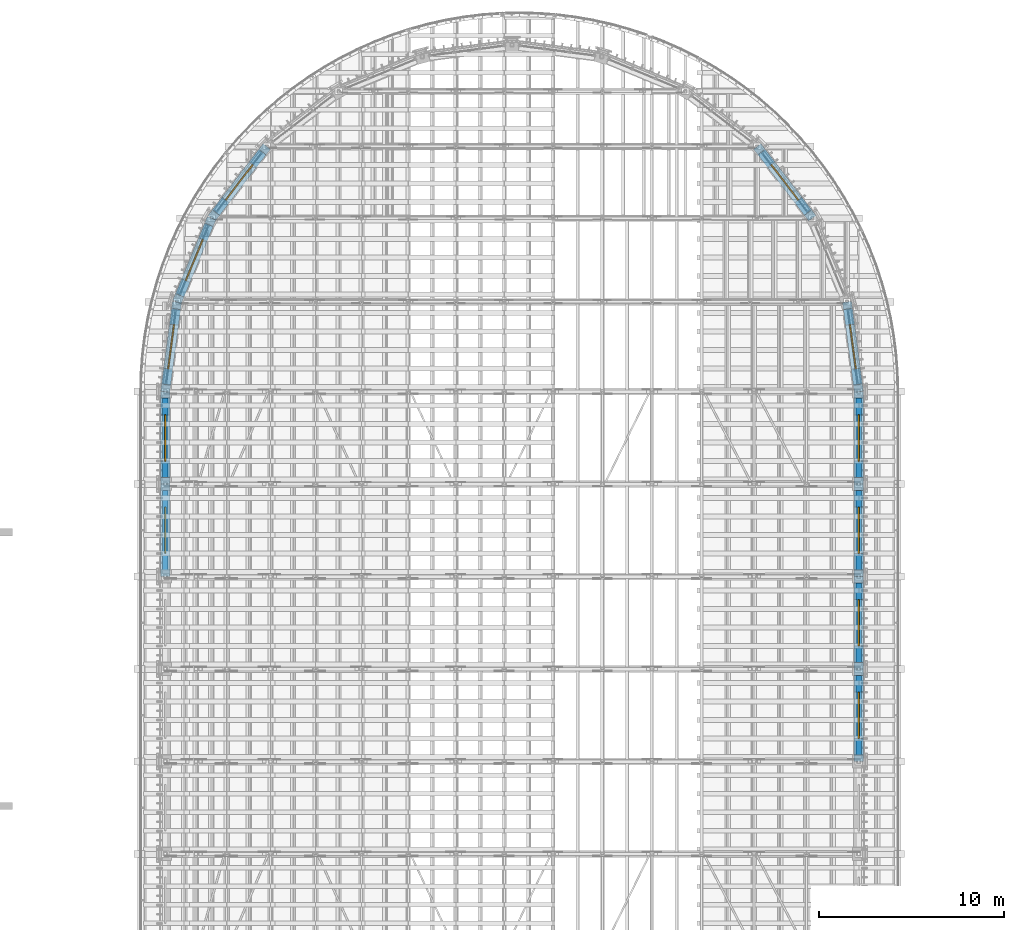
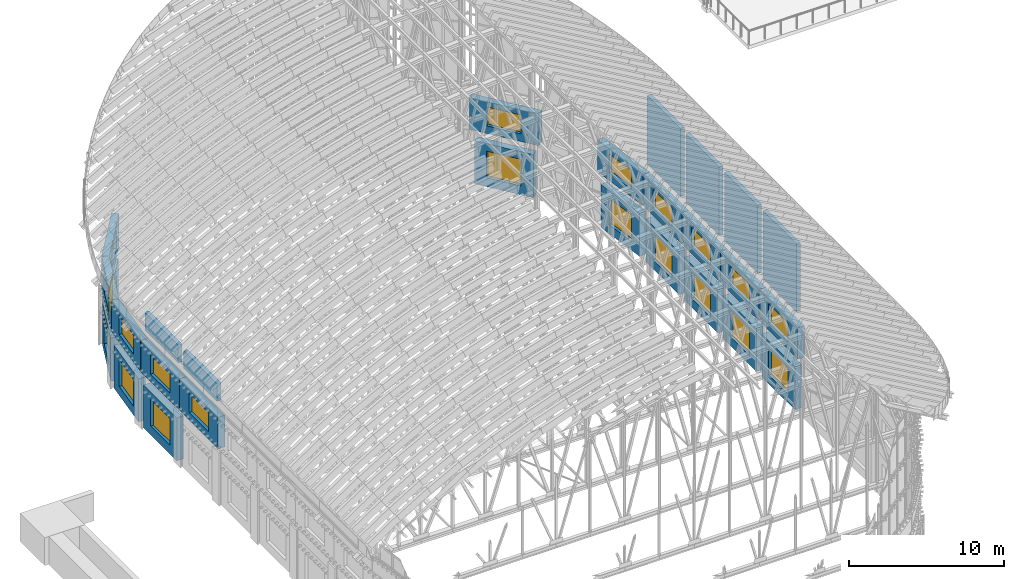
# One storey, part 56 of 105: 27 walls, 21 windows, 21 openings.
"""IFC4 building model written with IfcOpenShell, lengths in metres."""

from ifc_helpers import new_model, si_unit, direction, frame, frame_2d, origin, place, context, subcontext, project, spatial, rectangle, extrude, material, layer, layer_set, type_object, element, fill, save


model = new_model("IFC4")

# Units and contexts
model_context = context("Model", 3, precision=1e-05, world=origin(), true_north=direction((0.0, 1.0)))
body_context = subcontext(model_context, "Body", "Model", "MODEL_VIEW")
ifc_project = project(units=[si_unit("LENGTHUNIT", "METRE"), si_unit("AREAUNIT", "SQUARE_METRE"), si_unit("VOLUMEUNIT", "CUBIC_METRE"), si_unit("PLANEANGLEUNIT", "RADIAN"), si_unit("MASSUNIT", "GRAM", prefix="KILO")], contexts=[model_context])

# Site, building, storey
site_placement = place(None, origin())
site = spatial("IfcSite", under=ifc_project, at=site_placement, CompositionType="ELEMENT")
building_placement = place(site_placement, origin())
building = spatial("IfcBuilding", under=site, at=building_placement, Name="Wasatch Bagh Community Centre", CompositionType="ELEMENT")
storey_placement = place(building_placement, frame((0.0, 0.0, 16.800048828125)))
storey = spatial("IfcBuildingStorey", under=building, at=storey_placement, Name="L04", CompositionType="ELEMENT", Elevation=16.800048828125)

# Walls
ifc_material_1 = material(Name="Concrete C40", Category="concrete")
ifc_layer_1 = layer(ifc_material_1, 0.300048828125)
ifc_layer_set_1 = layer_set([ifc_layer_1], Name="Concrete C40")
wall_type_1 = type_object("IfcWallType", Name="MH upstand wall 300", PredefinedType="SHEAR", material=ifc_layer_set_1)
for number, where, z_axis, x_axis, name in (
    (1, (54.75, 45.3505859375, 7.699951171875), (0.0, 0.0, 1.0), (0.0, 1.0, 0.0), "Capsule upstand wall 15"),
    (2, (54.75, 50.3505859375, 7.699951171875), (0.0, 0.0, 1.0), (0.0, 1.0, 0.0), "Capsule upstand wall 16"),
    (3, (54.75, 55.3505859375, 7.699951171875), (0.0, 0.0, 1.0), (0.0, 1.0, 0.0), "Capsule upstand wall 17"),
    (4, (54.75, 60.3505859375, 7.699951171875), (0.0, 0.0, 1.0), (0.0, 1.0, 0.0), "Capsule upstand wall 18"),
):
    element("IfcWall", number, at=place(storey_placement, frame(where, z_axis=z_axis, x_axis=x_axis)), inside=storey, type_object=wall_type_1, Name=name, PredefinedType="SHEAR", context=body_context, shape_type="SweptSolid", body=[
        extrude(rectangle(XDim=4.298828125, YDim=0.300048828125, at=frame_2d((2.1494140625, 0.0))), origin(), (0.0, 0.0, 1.0), 5.387939453125),
    ])
for number, where, z_axis, x_axis, name in (
    (5, (17.25, 64.6494140625, 7.699951171875), (0.0, 0.0, 1.0), (0.0, -1.0, 0.0), "Capsule upstand wall 31"),
    (6, (17.25, 59.6494140625, 7.699951171875), (0.0, 0.0, 1.0), (0.0, -1.0, 0.0), "Capsule upstand wall 32"),
):
    element("IfcWall", number, at=place(storey_placement, frame(where, z_axis=z_axis, x_axis=x_axis)), inside=storey, type_object=wall_type_1, Name=name, PredefinedType="SHEAR", context=body_context, shape_type="SweptSolid", body=[
        extrude(rectangle(XDim=4.298828125, YDim=0.300048828125, at=frame_2d((2.1494140625, 0.0))), origin(), (0.0, 0.0, 1.0), 1.4130859375),
    ])

# Wall, opening, window
ifc_layer_2 = layer(ifc_material_1, 0.5)
ifc_layer_set_2 = layer_set([ifc_layer_2], Name="Concrete C40")
wall_type_2 = type_object("IfcWallType", Name="MH wall RC WALL 500", PredefinedType="SHEAR", material=ifc_layer_set_2)
wall_1_placement = place(storey_placement, frame((54.75, 45.3505859375, 0.0), z_axis=(0.0, 0.0, 1.0), x_axis=(0.0, 1.0, 0.0)))
wall_1 = element("IfcWall", 7, at=wall_1_placement, inside=storey, type_object=wall_type_2, Name="Capsule wall 15", PredefinedType="SHEAR", context=body_context, shape_type="SweptSolid", body=[
    extrude(rectangle(XDim=4.298828125, YDim=0.5, at=frame_2d((2.1494140625, 0.0))), origin(), (0.0, 0.0, 1.0), 3.39990234375),
])
opening_1_placement = place(wall_1_placement, frame((0.8994140625, 0.0, 0.699951171875)))
opening_1 = element("IfcOpeningElement", 8, at=opening_1_placement, cuts=wall_1, Name="Opening 0M-W15", PredefinedType="OPENING", context=body_context, shape_type="SweptSolid", body=[
    extrude(rectangle(XDim=2.5, YDim=2.10009765625, at=frame_2d((1.25, 1.050048828125))), frame((0.0, 0.260009765625, 0.0), z_axis=(0.0, -1.0, 0.0), x_axis=(1.0, 0.0, 0.0)), (0.0, 0.0, 1.0), 0.52001953125),
])
ifc_material_2 = material(Name="Aluminium frame with low-iron insulated glass", Category="aluminium")
window_type_1 = type_object("IfcWindowType", Name="MH clerestory window W6", PartitioningType="SINGLE_PANEL", PredefinedType="WINDOW", material=ifc_material_2)
window_1_placement = place(opening_1_placement, origin())
window_1 = element("IfcWindow", 9, at=window_1_placement, inside=storey, type_object=window_type_1, Name="Window 0M-W15", OverallHeight=2.10009765625, OverallWidth=2.5, PartitioningType="SINGLE_PANEL", PredefinedType="WINDOW", context=body_context, shape_type="SweptSolid", body=[
    extrude(rectangle(XDim=2.5, YDim=2.10009765625, at=frame_2d((1.25, 1.050048828125))), frame((0.0, 0.030029296875, 0.0), z_axis=(0.0, -1.0, 0.0), x_axis=(1.0, 0.0, 0.0)), (0.0, 0.0, 1.0), 0.06005859375),
])
fill(opening_1, window_1)

wall_2_placement = place(storey_placement, frame((54.75, 50.3505859375, 0.0), z_axis=(0.0, 0.0, 1.0), x_axis=(0.0, 1.0, 0.0)))
wall_2 = element("IfcWall", 10, at=wall_2_placement, inside=storey, type_object=wall_type_2, Name="Capsule wall 16", PredefinedType="SHEAR", context=body_context, shape_type="SweptSolid", body=[
    extrude(rectangle(XDim=4.298828125, YDim=0.5, at=frame_2d((2.1494140625, 0.0))), origin(), (0.0, 0.0, 1.0), 3.39990234375),
])
opening_2_placement = place(wall_2_placement, frame((0.8994140625, 0.0, 0.699951171875)))
opening_2 = element("IfcOpeningElement", 11, at=opening_2_placement, cuts=wall_2, Name="Opening 0M-W16", PredefinedType="OPENING", context=body_context, shape_type="SweptSolid", body=[
    extrude(rectangle(XDim=2.5, YDim=2.10009765625, at=frame_2d((1.25, 1.050048828125))), frame((0.0, 0.260009765625, 0.0), z_axis=(0.0, -1.0, 0.0), x_axis=(1.0, 0.0, 0.0)), (0.0, 0.0, 1.0), 0.52001953125),
])
window_2_placement = place(opening_2_placement, origin())
window_2 = element("IfcWindow", 12, at=window_2_placement, inside=storey, type_object=window_type_1, Name="Window 0M-W16", OverallHeight=2.10009765625, OverallWidth=2.5, PartitioningType="SINGLE_PANEL", PredefinedType="WINDOW", context=body_context, shape_type="SweptSolid", body=[
    extrude(rectangle(XDim=2.5, YDim=2.10009765625, at=frame_2d((1.25, 1.050048828125))), frame((0.0, 0.030029296875, 0.0), z_axis=(0.0, -1.0, 0.0), x_axis=(1.0, 0.0, 0.0)), (0.0, 0.0, 1.0), 0.06005859375),
])
fill(opening_2, window_2)

wall_3_placement = place(storey_placement, frame((54.75, 55.3505859375, 0.0), z_axis=(0.0, 0.0, 1.0), x_axis=(0.0, 1.0, 0.0)))
wall_3 = element("IfcWall", 13, at=wall_3_placement, inside=storey, type_object=wall_type_2, Name="Capsule wall 17", PredefinedType="SHEAR", context=body_context, shape_type="SweptSolid", body=[
    extrude(rectangle(XDim=4.298828125, YDim=0.5, at=frame_2d((2.1494140625, 0.0))), origin(), (0.0, 0.0, 1.0), 3.39990234375),
])
opening_3_placement = place(wall_3_placement, frame((0.8994140625, 0.0, 0.699951171875)))
opening_3 = element("IfcOpeningElement", 14, at=opening_3_placement, cuts=wall_3, Name="Opening 0M-W17", PredefinedType="OPENING", context=body_context, shape_type="SweptSolid", body=[
    extrude(rectangle(XDim=2.5, YDim=2.10009765625, at=frame_2d((1.25, 1.050048828125))), frame((0.0, 0.260009765625, 0.0), z_axis=(0.0, -1.0, 0.0), x_axis=(1.0, 0.0, 0.0)), (0.0, 0.0, 1.0), 0.52001953125),
])
window_3_placement = place(opening_3_placement, origin())
window_3 = element("IfcWindow", 15, at=window_3_placement, inside=storey, type_object=window_type_1, Name="Window 0M-W17", OverallHeight=2.10009765625, OverallWidth=2.5, PartitioningType="SINGLE_PANEL", PredefinedType="WINDOW", context=body_context, shape_type="SweptSolid", body=[
    extrude(rectangle(XDim=2.5, YDim=2.10009765625, at=frame_2d((1.25, 1.050048828125))), frame((0.0, 0.030029296875, 0.0), z_axis=(0.0, -1.0, 0.0), x_axis=(1.0, 0.0, 0.0)), (0.0, 0.0, 1.0), 0.06005859375),
])
fill(opening_3, window_3)

wall_4_placement = place(storey_placement, frame((54.75, 60.3505859375, 0.0), z_axis=(0.0, 0.0, 1.0), x_axis=(0.0, 1.0, 0.0)))
wall_4 = element("IfcWall", 16, at=wall_4_placement, inside=storey, type_object=wall_type_2, Name="Capsule wall 18", PredefinedType="SHEAR", context=body_context, shape_type="SweptSolid", body=[
    extrude(rectangle(XDim=4.298828125, YDim=0.5, at=frame_2d((2.1494140625, 0.0))), origin(), (0.0, 0.0, 1.0), 3.39990234375),
])
opening_4_placement = place(wall_4_placement, frame((0.8994140625, 0.0, 0.699951171875)))
opening_4 = element("IfcOpeningElement", 17, at=opening_4_placement, cuts=wall_4, Name="Opening 0M-W18", PredefinedType="OPENING", context=body_context, shape_type="SweptSolid", body=[
    extrude(rectangle(XDim=2.5, YDim=2.10009765625, at=frame_2d((1.25, 1.050048828125))), frame((0.0, 0.260009765625, 0.0), z_axis=(0.0, -1.0, 0.0), x_axis=(1.0, 0.0, 0.0)), (0.0, 0.0, 1.0), 0.52001953125),
])
window_4_placement = place(opening_4_placement, origin())
window_4 = element("IfcWindow", 18, at=window_4_placement, inside=storey, type_object=window_type_1, Name="Window 0M-W18", OverallHeight=2.10009765625, OverallWidth=2.5, PartitioningType="SINGLE_PANEL", PredefinedType="WINDOW", context=body_context, shape_type="SweptSolid", body=[
    extrude(rectangle(XDim=2.5, YDim=2.10009765625, at=frame_2d((1.25, 1.050048828125))), frame((0.0, 0.030029296875, 0.0), z_axis=(0.0, -1.0, 0.0), x_axis=(1.0, 0.0, 0.0)), (0.0, 0.0, 1.0), 0.06005859375),
])
fill(opening_4, window_4)

wall_5_placement = place(storey_placement, frame((54.699462890625, 65.383056640625, 0.0), z_axis=(0.0, 0.0, 1.0), x_axis=(-0.130483623501, 0.991450464722, 0.0)))
wall_5 = element("IfcWall", 19, at=wall_5_placement, inside=storey, type_object=wall_type_2, Name="Capsule wall 19", PredefinedType="SHEAR", context=body_context, shape_type="SweptSolid", body=[
    extrude(rectangle(XDim=4.121826171875, YDim=0.5, at=frame_2d((2.06103515625, 0.0))), origin(), (0.0, 0.0, 1.0), 3.39990234375),
])
opening_5_placement = place(wall_5_placement, frame((0.86083984375, 0.0, 0.699951171875)))
opening_5 = element("IfcOpeningElement", 20, at=opening_5_placement, cuts=wall_5, Name="Opening 0M-W19", PredefinedType="OPENING", context=body_context, shape_type="SweptSolid", body=[
    extrude(rectangle(XDim=2.39990234375, YDim=2.10009765625, at=frame_2d((1.199951171875, 1.050048828125))), frame((0.0, 0.260009765625, 0.0), z_axis=(0.0, -1.0, 0.0), x_axis=(1.0, 0.0, 0.0)), (0.0, 0.0, 1.0), 0.52001953125),
])
window_type_2 = type_object("IfcWindowType", Name="MH clerestory window W5", PartitioningType="SINGLE_PANEL", PredefinedType="WINDOW", material=ifc_material_2)
window_5_placement = place(opening_5_placement, origin())
window_5 = element("IfcWindow", 21, at=window_5_placement, inside=storey, type_object=window_type_2, Name="Window 0M-W19", OverallHeight=2.10009765625, OverallWidth=2.39990234375, PartitioningType="SINGLE_PANEL", PredefinedType="WINDOW", context=body_context, shape_type="SweptSolid", body=[
    extrude(rectangle(XDim=2.39990234375, YDim=2.10009765625, at=frame_2d((1.199951171875, 1.050048828125))), frame((0.0, 0.030029296875, 0.0), z_axis=(0.0, -1.0, 0.0), x_axis=(1.0, 0.0, 0.0)), (0.0, 0.0, 1.0), 0.06005859375),
])
fill(opening_5, window_5)

wall_6_placement = place(storey_placement, frame((52.002685546875, 74.681640625, 0.0), z_axis=(0.0, 0.0, 1.0), x_axis=(-0.60877717335, 0.793341258985, 0.0)))
wall_6 = element("IfcWall", 22, at=wall_6_placement, inside=storey, type_object=wall_type_2, Name="Capsule wall 21", PredefinedType="SHEAR", context=body_context, shape_type="SweptSolid", body=[
    extrude(rectangle(XDim=4.121826171875, YDim=0.5, at=frame_2d((2.06103515625, 0.0))), origin(), (0.0, 0.0, 1.0), 3.39990234375),
])
opening_6_placement = place(wall_6_placement, frame((0.86083984375, 0.0, 0.699951171875)))
opening_6 = element("IfcOpeningElement", 23, at=opening_6_placement, cuts=wall_6, Name="Opening 0M-W21", PredefinedType="OPENING", context=body_context, shape_type="SweptSolid", body=[
    extrude(rectangle(XDim=2.39990234375, YDim=2.10009765625, at=frame_2d((1.199951171875, 1.050048828125))), frame((0.0, 0.260009765625, 0.0), z_axis=(0.0, -1.0, 0.0), x_axis=(1.0, 0.0, 0.0)), (0.0, 0.0, 1.0), 0.52001953125),
])
window_6_placement = place(opening_6_placement, origin())
window_6 = element("IfcWindow", 24, at=window_6_placement, inside=storey, type_object=window_type_2, Name="Window 0M-W21", OverallHeight=2.10009765625, OverallWidth=2.39990234375, PartitioningType="SINGLE_PANEL", PredefinedType="WINDOW", context=body_context, shape_type="SweptSolid", body=[
    extrude(rectangle(XDim=2.39990234375, YDim=2.10009765625, at=frame_2d((1.199951171875, 1.050048828125))), frame((0.0, 0.030029296875, 0.0), z_axis=(0.0, -1.0, 0.0), x_axis=(1.0, 0.0, 0.0)), (0.0, 0.0, 1.0), 0.06005859375),
])
fill(opening_6, window_6)

wall_7_placement = place(storey_placement, frame((22.506591796875, 77.95166015625, 0.0), z_axis=(0.0, 0.0, 1.0), x_axis=(-0.60877717335, -0.793341258985, 0.0)))
wall_7 = element("IfcWall", 25, at=wall_7_placement, inside=storey, type_object=wall_type_2, Name="Capsule wall 28", PredefinedType="SHEAR", context=body_context, shape_type="SweptSolid", body=[
    extrude(rectangle(XDim=4.121826171875, YDim=0.5, at=frame_2d((2.06103515625, 0.0))), origin(), (0.0, 0.0, 1.0), 3.39990234375),
])
opening_7_placement = place(wall_7_placement, frame((0.86083984375, 0.0, 0.699951171875)))
opening_7 = element("IfcOpeningElement", 26, at=opening_7_placement, cuts=wall_7, Name="Opening 0M-W28", PredefinedType="OPENING", context=body_context, shape_type="SweptSolid", body=[
    extrude(rectangle(XDim=2.39990234375, YDim=2.10009765625, at=frame_2d((1.199951171875, 1.050048828125))), frame((0.0, 0.260009765625, 0.0), z_axis=(0.0, -1.0, 0.0), x_axis=(1.0, 0.0, 0.0)), (0.0, 0.0, 1.0), 0.52001953125),
])
window_7_placement = place(opening_7_placement, origin())
window_7 = element("IfcWindow", 27, at=window_7_placement, inside=storey, type_object=window_type_2, Name="Window 0M-W28", OverallHeight=2.10009765625, OverallWidth=2.39990234375, PartitioningType="SINGLE_PANEL", PredefinedType="WINDOW", context=body_context, shape_type="SweptSolid", body=[
    extrude(rectangle(XDim=2.39990234375, YDim=2.10009765625, at=frame_2d((1.199951171875, 1.050048828125))), frame((0.0, 0.030029296875, 0.0), z_axis=(0.0, -1.0, 0.0), x_axis=(1.0, 0.0, 0.0)), (0.0, 0.0, 1.0), 0.06005859375),
])
fill(opening_7, window_7)

wall_8_placement = place(storey_placement, frame((19.6142578125, 74.01806640625, 0.0), z_axis=(0.0, 0.0, 1.0), x_axis=(-0.382688328955, -0.923877504262, 0.0)))
wall_8 = element("IfcWall", 28, at=wall_8_placement, inside=storey, type_object=wall_type_2, Name="Capsule wall 29", PredefinedType="SHEAR", context=body_context, shape_type="SweptSolid", body=[
    extrude(rectangle(XDim=4.121826171875, YDim=0.5, at=frame_2d((2.06103515625, 0.0))), origin(), (0.0, 0.0, 1.0), 3.39990234375),
])
opening_8_placement = place(wall_8_placement, frame((0.86083984375, 0.0, 0.699951171875)))
opening_8 = element("IfcOpeningElement", 29, at=opening_8_placement, cuts=wall_8, Name="Opening 0M-W29", PredefinedType="OPENING", context=body_context, shape_type="SweptSolid", body=[
    extrude(rectangle(XDim=2.39990234375, YDim=2.10009765625, at=frame_2d((1.199951171875, 1.050048828125))), frame((0.0, 0.260009765625, 0.0), z_axis=(0.0, -1.0, 0.0), x_axis=(1.0, 0.0, 0.0)), (0.0, 0.0, 1.0), 0.52001953125),
])
window_8_placement = place(opening_8_placement, origin())
window_8 = element("IfcWindow", 30, at=window_8_placement, inside=storey, type_object=window_type_2, Name="Window 0M-W29", OverallHeight=2.10009765625, OverallWidth=2.39990234375, PartitioningType="SINGLE_PANEL", PredefinedType="WINDOW", context=body_context, shape_type="SweptSolid", body=[
    extrude(rectangle(XDim=2.39990234375, YDim=2.10009765625, at=frame_2d((1.199951171875, 1.050048828125))), frame((0.0, 0.030029296875, 0.0), z_axis=(0.0, -1.0, 0.0), x_axis=(1.0, 0.0, 0.0)), (0.0, 0.0, 1.0), 0.06005859375),
])
fill(opening_8, window_8)

wall_9_placement = place(storey_placement, frame((17.83837890625, 69.4697265625, 0.0), z_axis=(0.0, 0.0, 1.0), x_axis=(-0.130483623501, -0.991450464722, 0.0)))
wall_9 = element("IfcWall", 31, at=wall_9_placement, inside=storey, type_object=wall_type_2, Name="Capsule wall 30", PredefinedType="SHEAR", context=body_context, shape_type="SweptSolid", body=[
    extrude(rectangle(XDim=4.121826171875, YDim=0.5, at=frame_2d((2.06103515625, 0.0))), origin(), (0.0, 0.0, 1.0), 3.39990234375),
])
opening_9_placement = place(wall_9_placement, frame((0.86083984375, 0.0, 0.699951171875)))
opening_9 = element("IfcOpeningElement", 32, at=opening_9_placement, cuts=wall_9, Name="Opening 0M-W30", PredefinedType="OPENING", context=body_context, shape_type="SweptSolid", body=[
    extrude(rectangle(XDim=2.39990234375, YDim=2.10009765625, at=frame_2d((1.199951171875, 1.050048828125))), frame((0.0, 0.260009765625, 0.0), z_axis=(0.0, -1.0, 0.0), x_axis=(1.0, 0.0, 0.0)), (0.0, 0.0, 1.0), 0.52001953125),
])
window_9_placement = place(opening_9_placement, origin())
window_9 = element("IfcWindow", 33, at=window_9_placement, inside=storey, type_object=window_type_2, Name="Window 0M-W30", OverallHeight=2.10009765625, OverallWidth=2.39990234375, PartitioningType="SINGLE_PANEL", PredefinedType="WINDOW", context=body_context, shape_type="SweptSolid", body=[
    extrude(rectangle(XDim=2.39990234375, YDim=2.10009765625, at=frame_2d((1.199951171875, 1.050048828125))), frame((0.0, 0.030029296875, 0.0), z_axis=(0.0, -1.0, 0.0), x_axis=(1.0, 0.0, 0.0)), (0.0, 0.0, 1.0), 0.06005859375),
])
fill(opening_9, window_9)

wall_10_placement = place(storey_placement, frame((17.25, 64.6494140625, 0.0), z_axis=(0.0, 0.0, 1.0), x_axis=(0.0, -1.0, 0.0)))
wall_10 = element("IfcWall", 34, at=wall_10_placement, inside=storey, type_object=wall_type_2, Name="Capsule wall 31", PredefinedType="SHEAR", context=body_context, shape_type="SweptSolid", body=[
    extrude(rectangle(XDim=4.298828125, YDim=0.5, at=frame_2d((2.1494140625, 0.0))), origin(), (0.0, 0.0, 1.0), 3.39990234375),
])
opening_10_placement = place(wall_10_placement, frame((0.8994140625, 0.0, 0.699951171875)))
opening_10 = element("IfcOpeningElement", 35, at=opening_10_placement, cuts=wall_10, Name="Opening 0M-W31", PredefinedType="OPENING", context=body_context, shape_type="SweptSolid", body=[
    extrude(rectangle(XDim=2.5, YDim=2.10009765625, at=frame_2d((1.25, 1.050048828125))), frame((0.0, 0.260009765625, 0.0), z_axis=(0.0, -1.0, 0.0), x_axis=(1.0, 0.0, 0.0)), (0.0, 0.0, 1.0), 0.52001953125),
])
window_10_placement = place(opening_10_placement, origin())
window_10 = element("IfcWindow", 36, at=window_10_placement, inside=storey, type_object=window_type_1, Name="Window 0M-W31", OverallHeight=2.10009765625, OverallWidth=2.5, PartitioningType="SINGLE_PANEL", PredefinedType="WINDOW", context=body_context, shape_type="SweptSolid", body=[
    extrude(rectangle(XDim=2.5, YDim=2.10009765625, at=frame_2d((1.25, 1.050048828125))), frame((0.0, 0.030029296875, 0.0), z_axis=(0.0, -1.0, 0.0), x_axis=(1.0, 0.0, 0.0)), (0.0, 0.0, 1.0), 0.06005859375),
])
fill(opening_10, window_10)

wall_11_placement = place(storey_placement, frame((54.75, 45.0, 4.199951171875), z_axis=(0.0, 0.0, 1.0), x_axis=(0.0, 1.0, 0.0)))
wall_11 = element("IfcWall", 37, at=wall_11_placement, inside=storey, type_object=wall_type_2, Name="Capsule wall 15 upper", PredefinedType="SHEAR", context=body_context, shape_type="SweptSolid", body=[
    extrude(rectangle(XDim=5.0, YDim=0.5, at=frame_2d((2.5, 0.0))), origin(), (0.0, 0.0, 1.0), 2.5),
])
opening_11_placement = place(wall_11_placement, frame((1.25, 0.0, 0.60009765625)))
opening_11 = element("IfcOpeningElement", 38, at=opening_11_placement, cuts=wall_11, Name="Opening 0M-W15", PredefinedType="OPENING", context=body_context, shape_type="SweptSolid", body=[
    extrude(rectangle(XDim=2.5, YDim=1.5, at=frame_2d((1.25, 0.75))), frame((0.0, 0.260009765625, 0.0), z_axis=(0.0, -1.0, 0.0), x_axis=(1.0, 0.0, 0.0)), (0.0, 0.0, 1.0), 0.52001953125),
])
window_type_3 = type_object("IfcWindowType", Name="MH clerestory window W3", PartitioningType="SINGLE_PANEL", PredefinedType="WINDOW", material=ifc_material_2)
window_11_placement = place(opening_11_placement, origin())
window_11 = element("IfcWindow", 39, at=window_11_placement, inside=storey, type_object=window_type_3, Name="Window 0M-W15", OverallHeight=1.5, OverallWidth=2.5, PartitioningType="SINGLE_PANEL", PredefinedType="WINDOW", context=body_context, shape_type="SweptSolid", body=[
    extrude(rectangle(XDim=2.5, YDim=1.5, at=frame_2d((1.25, 0.75))), frame((0.0, 0.030029296875, 0.0), z_axis=(0.0, -1.0, 0.0), x_axis=(1.0, 0.0, 0.0)), (0.0, 0.0, 1.0), 0.06005859375),
])
fill(opening_11, window_11)

wall_12_placement = place(storey_placement, frame((54.75, 50.0, 4.199951171875), z_axis=(0.0, 0.0, 1.0), x_axis=(0.0, 1.0, 0.0)))
wall_12 = element("IfcWall", 40, at=wall_12_placement, inside=storey, type_object=wall_type_2, Name="Capsule wall 16 upper", PredefinedType="SHEAR", context=body_context, shape_type="SweptSolid", body=[
    extrude(rectangle(XDim=5.0, YDim=0.5, at=frame_2d((2.5, 0.0))), origin(), (0.0, 0.0, 1.0), 2.5),
])
opening_12_placement = place(wall_12_placement, frame((1.25, 0.0, 0.60009765625)))
opening_12 = element("IfcOpeningElement", 41, at=opening_12_placement, cuts=wall_12, Name="Opening 0M-W16", PredefinedType="OPENING", context=body_context, shape_type="SweptSolid", body=[
    extrude(rectangle(XDim=2.5, YDim=1.5, at=frame_2d((1.25, 0.75))), frame((0.0, 0.260009765625, 0.0), z_axis=(0.0, -1.0, 0.0), x_axis=(1.0, 0.0, 0.0)), (0.0, 0.0, 1.0), 0.52001953125),
])
window_12_placement = place(opening_12_placement, origin())
window_12 = element("IfcWindow", 42, at=window_12_placement, inside=storey, type_object=window_type_3, Name="Window 0M-W16", OverallHeight=1.5, OverallWidth=2.5, PartitioningType="SINGLE_PANEL", PredefinedType="WINDOW", context=body_context, shape_type="SweptSolid", body=[
    extrude(rectangle(XDim=2.5, YDim=1.5, at=frame_2d((1.25, 0.75))), frame((0.0, 0.030029296875, 0.0), z_axis=(0.0, -1.0, 0.0), x_axis=(1.0, 0.0, 0.0)), (0.0, 0.0, 1.0), 0.06005859375),
])
fill(opening_12, window_12)

wall_13_placement = place(storey_placement, frame((54.75, 55.0, 4.199951171875), z_axis=(0.0, 0.0, 1.0), x_axis=(0.0, 1.0, 0.0)))
wall_13 = element("IfcWall", 43, at=wall_13_placement, inside=storey, type_object=wall_type_2, Name="Capsule wall 17 upper", PredefinedType="SHEAR", context=body_context, shape_type="SweptSolid", body=[
    extrude(rectangle(XDim=5.0, YDim=0.5, at=frame_2d((2.5, 0.0))), origin(), (0.0, 0.0, 1.0), 2.5),
])
opening_13_placement = place(wall_13_placement, frame((1.25, 0.0, 0.60009765625)))
opening_13 = element("IfcOpeningElement", 44, at=opening_13_placement, cuts=wall_13, Name="Opening 0M-W17", PredefinedType="OPENING", context=body_context, shape_type="SweptSolid", body=[
    extrude(rectangle(XDim=2.5, YDim=1.5, at=frame_2d((1.25, 0.75))), frame((0.0, 0.260009765625, 0.0), z_axis=(0.0, -1.0, 0.0), x_axis=(1.0, 0.0, 0.0)), (0.0, 0.0, 1.0), 0.52001953125),
])
window_13_placement = place(opening_13_placement, origin())
window_13 = element("IfcWindow", 45, at=window_13_placement, inside=storey, type_object=window_type_3, Name="Window 0M-W17", OverallHeight=1.5, OverallWidth=2.5, PartitioningType="SINGLE_PANEL", PredefinedType="WINDOW", context=body_context, shape_type="SweptSolid", body=[
    extrude(rectangle(XDim=2.5, YDim=1.5, at=frame_2d((1.25, 0.75))), frame((0.0, 0.030029296875, 0.0), z_axis=(0.0, -1.0, 0.0), x_axis=(1.0, 0.0, 0.0)), (0.0, 0.0, 1.0), 0.06005859375),
])
fill(opening_13, window_13)

wall_14_placement = place(storey_placement, frame((54.75, 60.0, 4.199951171875), z_axis=(0.0, 0.0, 1.0), x_axis=(0.0, 1.0, 0.0)))
wall_14 = element("IfcWall", 46, at=wall_14_placement, inside=storey, type_object=wall_type_2, Name="Capsule wall 18 upper", PredefinedType="SHEAR", context=body_context, shape_type="SweptSolid", body=[
    extrude(rectangle(XDim=5.0, YDim=0.5, at=frame_2d((2.5, 0.0))), origin(), (0.0, 0.0, 1.0), 2.5),
])
opening_14_placement = place(wall_14_placement, frame((1.25, 0.0, 0.60009765625)))
opening_14 = element("IfcOpeningElement", 47, at=opening_14_placement, cuts=wall_14, Name="Opening 0M-W18", PredefinedType="OPENING", context=body_context, shape_type="SweptSolid", body=[
    extrude(rectangle(XDim=2.5, YDim=1.5, at=frame_2d((1.25, 0.75))), frame((0.0, 0.260009765625, 0.0), z_axis=(0.0, -1.0, 0.0), x_axis=(1.0, 0.0, 0.0)), (0.0, 0.0, 1.0), 0.52001953125),
])
window_14_placement = place(opening_14_placement, origin())
window_14 = element("IfcWindow", 48, at=window_14_placement, inside=storey, type_object=window_type_3, Name="Window 0M-W18", OverallHeight=1.5, OverallWidth=2.5, PartitioningType="SINGLE_PANEL", PredefinedType="WINDOW", context=body_context, shape_type="SweptSolid", body=[
    extrude(rectangle(XDim=2.5, YDim=1.5, at=frame_2d((1.25, 0.75))), frame((0.0, 0.030029296875, 0.0), z_axis=(0.0, -1.0, 0.0), x_axis=(1.0, 0.0, 0.0)), (0.0, 0.0, 1.0), 0.06005859375),
])
fill(opening_14, window_14)

wall_15_placement = place(storey_placement, frame((54.75, 65.0, 4.199951171875), z_axis=(0.0, 0.0, 1.0), x_axis=(-0.130533218363, 0.991443936339, 0.0)))
wall_15 = element("IfcWall", 49, at=wall_15_placement, inside=storey, type_object=wall_type_2, Name="Capsule wall 19 upper", PredefinedType="SHEAR", context=body_context, shape_type="SweptSolid", body=[
    extrude(rectangle(XDim=4.894775390625, YDim=0.5, at=frame_2d((2.447265625, 0.0))), origin(), (0.0, 0.0, 1.0), 2.5),
])
opening_15_placement = place(wall_15_placement, frame((1.247314453125, 0.0, 0.60009765625)))
opening_15 = element("IfcOpeningElement", 50, at=opening_15_placement, cuts=wall_15, Name="Opening 0M-W19", PredefinedType="OPENING", context=body_context, shape_type="SweptSolid", body=[
    extrude(rectangle(XDim=2.39990234375, YDim=1.5, at=frame_2d((1.199951171875, 0.75))), frame((0.0, 0.260009765625, 0.0), z_axis=(0.0, -1.0, 0.0), x_axis=(1.0, 0.0, 0.0)), (0.0, 0.0, 1.0), 0.52001953125),
])
window_type_4 = type_object("IfcWindowType", Name="MH clerestory window W1", PartitioningType="SINGLE_PANEL", PredefinedType="WINDOW", material=ifc_material_2)
window_15_placement = place(opening_15_placement, origin())
window_15 = element("IfcWindow", 51, at=window_15_placement, inside=storey, type_object=window_type_4, Name="Window 0M-W19", OverallHeight=1.5, OverallWidth=2.39990234375, PartitioningType="SINGLE_PANEL", PredefinedType="WINDOW", context=body_context, shape_type="SweptSolid", body=[
    extrude(rectangle(XDim=2.39990234375, YDim=1.5, at=frame_2d((1.199951171875, 0.75))), frame((0.0, 0.030029296875, 0.0), z_axis=(0.0, -1.0, 0.0), x_axis=(1.0, 0.0, 0.0)), (0.0, 0.0, 1.0), 0.06005859375),
])
fill(opening_15, window_15)

wall_16_placement = place(storey_placement, frame((52.238037109375, 74.375, 4.199951171875), z_axis=(0.0, 0.0, 1.0), x_axis=(-0.608758193246, 0.793355823169, 0.0)))
wall_16 = element("IfcWall", 52, at=wall_16_placement, inside=storey, type_object=wall_type_2, Name="Capsule wall 21 upper", PredefinedType="SHEAR", context=body_context, shape_type="SweptSolid", body=[
    extrude(rectangle(XDim=4.894775390625, YDim=0.5, at=frame_2d((2.447265625, 0.0))), origin(), (0.0, 0.0, 1.0), 2.5),
])
opening_16_placement = place(wall_16_placement, frame((1.247314453125, 0.0, 0.60009765625)))
opening_16 = element("IfcOpeningElement", 53, at=opening_16_placement, cuts=wall_16, Name="Opening 0M-W21", PredefinedType="OPENING", context=body_context, shape_type="SweptSolid", body=[
    extrude(rectangle(XDim=2.39990234375, YDim=1.5, at=frame_2d((1.199951171875, 0.75))), frame((0.0, 0.260009765625, 0.0), z_axis=(0.0, -1.0, 0.0), x_axis=(1.0, 0.0, 0.0)), (0.0, 0.0, 1.0), 0.52001953125),
])
window_16_placement = place(opening_16_placement, origin())
window_16 = element("IfcWindow", 54, at=window_16_placement, inside=storey, type_object=window_type_4, Name="Window 0M-W21", OverallHeight=1.5, OverallWidth=2.39990234375, PartitioningType="SINGLE_PANEL", PredefinedType="WINDOW", context=body_context, shape_type="SweptSolid", body=[
    extrude(rectangle(XDim=2.39990234375, YDim=1.5, at=frame_2d((1.199951171875, 0.75))), frame((0.0, 0.030029296875, 0.0), z_axis=(0.0, -1.0, 0.0), x_axis=(1.0, 0.0, 0.0)), (0.0, 0.0, 1.0), 0.06005859375),
])
fill(opening_16, window_16)

wall_17_placement = place(storey_placement, frame((22.74169921875, 78.25830078125, 4.199951171875), z_axis=(0.0, 0.0, 1.0), x_axis=(-0.608758193246, -0.793355823169, 0.0)))
wall_17 = element("IfcWall", 55, at=wall_17_placement, inside=storey, type_object=wall_type_2, Name="Capsule wall 28 upper", PredefinedType="SHEAR", context=body_context, shape_type="SweptSolid", body=[
    extrude(rectangle(XDim=4.894775390625, YDim=0.5, at=frame_2d((2.447265625, 0.0))), origin(), (0.0, 0.0, 1.0), 2.5),
])
opening_17_placement = place(wall_17_placement, frame((1.247314453125, 0.0, 0.60009765625)))
opening_17 = element("IfcOpeningElement", 56, at=opening_17_placement, cuts=wall_17, Name="Opening 0M-W28", PredefinedType="OPENING", context=body_context, shape_type="SweptSolid", body=[
    extrude(rectangle(XDim=2.39990234375, YDim=1.5, at=frame_2d((1.199951171875, 0.75))), frame((0.0, 0.260009765625, 0.0), z_axis=(0.0, -1.0, 0.0), x_axis=(1.0, 0.0, 0.0)), (0.0, 0.0, 1.0), 0.52001953125),
])
window_17_placement = place(opening_17_placement, origin())
window_17 = element("IfcWindow", 57, at=window_17_placement, inside=storey, type_object=window_type_4, Name="Window 0M-W28", OverallHeight=1.5, OverallWidth=2.39990234375, PartitioningType="SINGLE_PANEL", PredefinedType="WINDOW", context=body_context, shape_type="SweptSolid", body=[
    extrude(rectangle(XDim=2.39990234375, YDim=1.5, at=frame_2d((1.199951171875, 0.75))), frame((0.0, 0.030029296875, 0.0), z_axis=(0.0, -1.0, 0.0), x_axis=(1.0, 0.0, 0.0)), (0.0, 0.0, 1.0), 0.06005859375),
])
fill(opening_17, window_17)

wall_18_placement = place(storey_placement, frame((19.761962890625, 74.375, 4.199951171875), z_axis=(0.0, 0.0, 1.0), x_axis=(-0.382663090012, -0.923887958328, 0.0)))
wall_18 = element("IfcWall", 58, at=wall_18_placement, inside=storey, type_object=wall_type_2, Name="Capsule wall 29 upper", PredefinedType="SHEAR", context=body_context, shape_type="SweptSolid", body=[
    extrude(rectangle(XDim=4.894775390625, YDim=0.5, at=frame_2d((2.447265625, 0.0))), origin(), (0.0, 0.0, 1.0), 2.5),
])
opening_18_placement = place(wall_18_placement, frame((1.247314453125, 0.0, 0.60009765625)))
opening_18 = element("IfcOpeningElement", 59, at=opening_18_placement, cuts=wall_18, Name="Opening 0M-W29", PredefinedType="OPENING", context=body_context, shape_type="SweptSolid", body=[
    extrude(rectangle(XDim=2.39990234375, YDim=1.5, at=frame_2d((1.199951171875, 0.75))), frame((0.0, 0.260009765625, 0.0), z_axis=(0.0, -1.0, 0.0), x_axis=(1.0, 0.0, 0.0)), (0.0, 0.0, 1.0), 0.52001953125),
])
window_18_placement = place(opening_18_placement, origin())
window_18 = element("IfcWindow", 60, at=window_18_placement, inside=storey, type_object=window_type_4, Name="Window 0M-W29", OverallHeight=1.5, OverallWidth=2.39990234375, PartitioningType="SINGLE_PANEL", PredefinedType="WINDOW", context=body_context, shape_type="SweptSolid", body=[
    extrude(rectangle(XDim=2.39990234375, YDim=1.5, at=frame_2d((1.199951171875, 0.75))), frame((0.0, 0.030029296875, 0.0), z_axis=(0.0, -1.0, 0.0), x_axis=(1.0, 0.0, 0.0)), (0.0, 0.0, 1.0), 0.06005859375),
])
fill(opening_18, window_18)

wall_19_placement = place(storey_placement, frame((17.888916015625, 69.852783203125, 4.199951171875), z_axis=(0.0, 0.0, 1.0), x_axis=(-0.130533218363, -0.991443936339, 0.0)))
wall_19 = element("IfcWall", 61, at=wall_19_placement, inside=storey, type_object=wall_type_2, Name="Capsule wall 30 upper", PredefinedType="SHEAR", context=body_context, shape_type="SweptSolid", body=[
    extrude(rectangle(XDim=4.894775390625, YDim=0.5, at=frame_2d((2.447265625, 0.0))), origin(), (0.0, 0.0, 1.0), 2.5),
])
opening_19_placement = place(wall_19_placement, frame((1.247314453125, 0.0, 0.60009765625)))
opening_19 = element("IfcOpeningElement", 62, at=opening_19_placement, cuts=wall_19, Name="Opening 0M-W30", PredefinedType="OPENING", context=body_context, shape_type="SweptSolid", body=[
    extrude(rectangle(XDim=2.39990234375, YDim=1.5, at=frame_2d((1.199951171875, 0.75))), frame((0.0, 0.260009765625, 0.0), z_axis=(0.0, -1.0, 0.0), x_axis=(1.0, 0.0, 0.0)), (0.0, 0.0, 1.0), 0.52001953125),
])
window_19_placement = place(opening_19_placement, origin())
window_19 = element("IfcWindow", 63, at=window_19_placement, inside=storey, type_object=window_type_4, Name="Window 0M-W30", OverallHeight=1.5, OverallWidth=2.39990234375, PartitioningType="SINGLE_PANEL", PredefinedType="WINDOW", context=body_context, shape_type="SweptSolid", body=[
    extrude(rectangle(XDim=2.39990234375, YDim=1.5, at=frame_2d((1.199951171875, 0.75))), frame((0.0, 0.030029296875, 0.0), z_axis=(0.0, -1.0, 0.0), x_axis=(1.0, 0.0, 0.0)), (0.0, 0.0, 1.0), 0.06005859375),
])
fill(opening_19, window_19)

wall_20_placement = place(storey_placement, frame((17.25, 65.0, 4.199951171875), z_axis=(0.0, 0.0, 1.0), x_axis=(0.0, -1.0, 0.0)))
wall_20 = element("IfcWall", 64, at=wall_20_placement, inside=storey, type_object=wall_type_2, Name="Capsule wall 31 upper", PredefinedType="SHEAR", context=body_context, shape_type="SweptSolid", body=[
    extrude(rectangle(XDim=5.0, YDim=0.5, at=frame_2d((2.5, 0.0))), origin(), (0.0, 0.0, 1.0), 2.5),
])
opening_20_placement = place(wall_20_placement, frame((1.25, 0.0, 0.60009765625)))
opening_20 = element("IfcOpeningElement", 65, at=opening_20_placement, cuts=wall_20, Name="Opening 0M-W31", PredefinedType="OPENING", context=body_context, shape_type="SweptSolid", body=[
    extrude(rectangle(XDim=2.5, YDim=1.5, at=frame_2d((1.25, 0.75))), frame((0.0, 0.260009765625, 0.0), z_axis=(0.0, -1.0, 0.0), x_axis=(1.0, 0.0, 0.0)), (0.0, 0.0, 1.0), 0.52001953125),
])
window_20_placement = place(opening_20_placement, origin())
window_20 = element("IfcWindow", 66, at=window_20_placement, inside=storey, type_object=window_type_3, Name="Window 0M-W31", OverallHeight=1.5, OverallWidth=2.5, PartitioningType="SINGLE_PANEL", PredefinedType="WINDOW", context=body_context, shape_type="SweptSolid", body=[
    extrude(rectangle(XDim=2.5, YDim=1.5, at=frame_2d((1.25, 0.75))), frame((0.0, 0.030029296875, 0.0), z_axis=(0.0, -1.0, 0.0), x_axis=(1.0, 0.0, 0.0)), (0.0, 0.0, 1.0), 0.06005859375),
])
fill(opening_20, window_20)

wall_21_placement = place(storey_placement, frame((17.25, 60.0, 4.199951171875), z_axis=(0.0, 0.0, 1.0), x_axis=(0.0, -1.0, 0.0)))
wall_21 = element("IfcWall", 67, at=wall_21_placement, inside=storey, type_object=wall_type_2, Name="Capsule wall 32 upper", PredefinedType="SHEAR", context=body_context, shape_type="SweptSolid", body=[
    extrude(rectangle(XDim=5.0, YDim=0.5, at=frame_2d((2.5, 0.0))), origin(), (0.0, 0.0, 1.0), 2.5),
])
opening_21_placement = place(wall_21_placement, frame((1.25, 0.0, 0.60009765625)))
opening_21 = element("IfcOpeningElement", 68, at=opening_21_placement, cuts=wall_21, Name="Opening 0M-W32", PredefinedType="OPENING", context=body_context, shape_type="SweptSolid", body=[
    extrude(rectangle(XDim=2.5, YDim=1.5, at=frame_2d((1.25, 0.75))), frame((0.0, 0.260009765625, 0.0), z_axis=(0.0, -1.0, 0.0), x_axis=(1.0, 0.0, 0.0)), (0.0, 0.0, 1.0), 0.52001953125),
])
window_21_placement = place(opening_21_placement, origin())
window_21 = element("IfcWindow", 69, at=window_21_placement, inside=storey, type_object=window_type_3, Name="Window 0M-W32", OverallHeight=1.5, OverallWidth=2.5, PartitioningType="SINGLE_PANEL", PredefinedType="WINDOW", context=body_context, shape_type="SweptSolid", body=[
    extrude(rectangle(XDim=2.5, YDim=1.5, at=frame_2d((1.25, 0.75))), frame((0.0, 0.030029296875, 0.0), z_axis=(0.0, -1.0, 0.0), x_axis=(1.0, 0.0, 0.0)), (0.0, 0.0, 1.0), 0.06005859375),
])
fill(opening_21, window_21)

save(model, "model.ifc")
